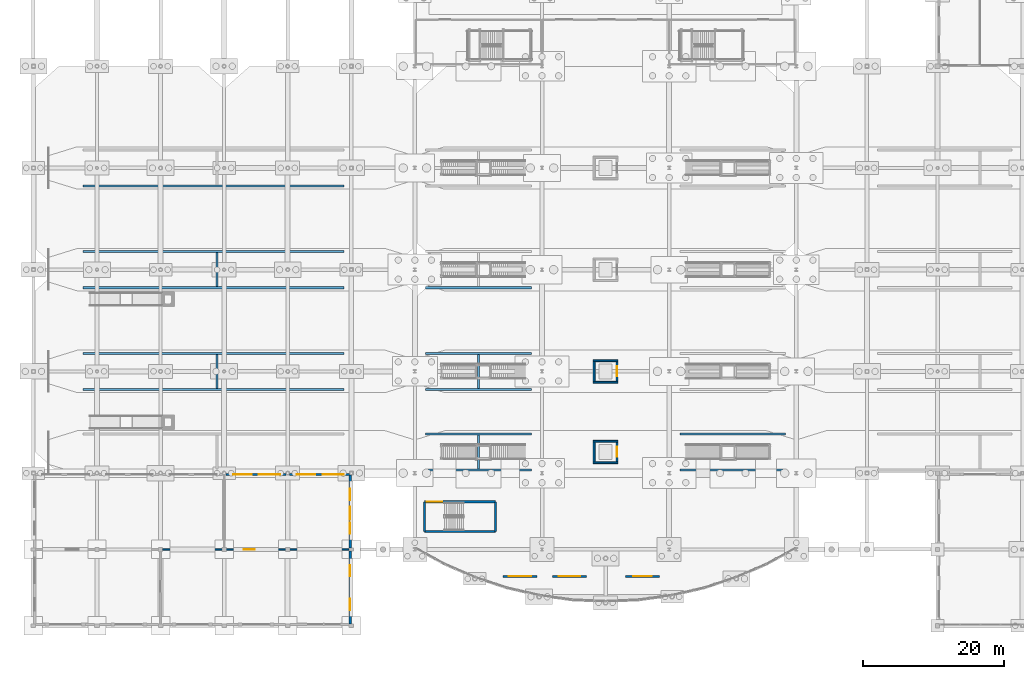
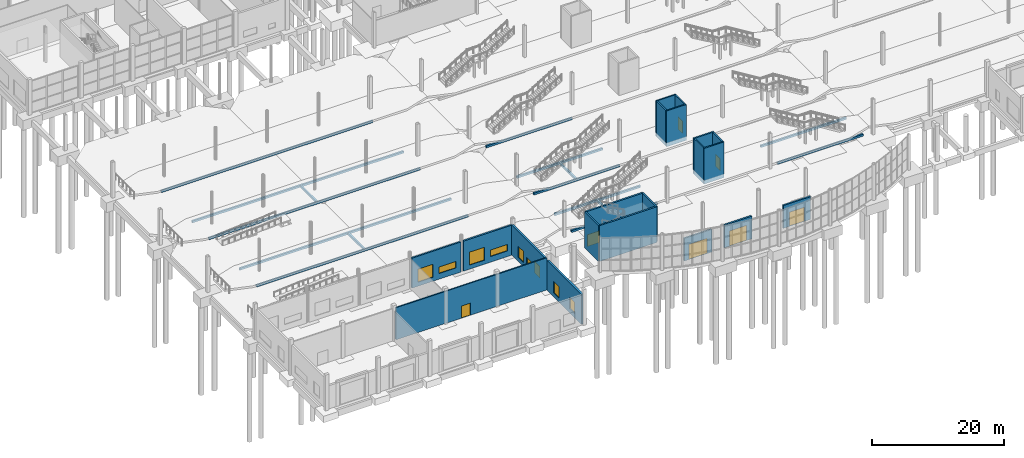
# One storey, part 86 of 115: 36 walls, 8 doors, 8 windows, 16 openings.
"""IFC4 building model written with IfcOpenShell, lengths in metres."""

from ifc_helpers import new_model, si_unit, direction, frame, frame_2d, origin, place, context, subcontext, project, spatial, rectangle, extrude, material, layer, layer_set, type_object, element, fill, save


model = new_model("IFC4")

# Units and contexts
model_context = context("Model", 3, precision=1e-05, world=origin(), true_north=direction((0.0, 1.0)))
body_context = subcontext(model_context, "Body", "Model", "MODEL_VIEW")
ifc_project = project(units=[si_unit("LENGTHUNIT", "METRE"), si_unit("AREAUNIT", "SQUARE_METRE"), si_unit("VOLUMEUNIT", "CUBIC_METRE"), si_unit("PLANEANGLEUNIT", "RADIAN"), si_unit("MASSUNIT", "GRAM", prefix="KILO")], contexts=[model_context])

# Site, building, storey
site_placement = place(None, origin())
site = spatial("IfcSite", under=ifc_project, at=site_placement, CompositionType="ELEMENT")
building_placement = place(site_placement, origin())
building = spatial("IfcBuilding", under=site, at=building_placement, Name="Tamarisk Ironworks Central Station", CompositionType="ELEMENT")
storey_placement = place(building_placement, origin())
storey = spatial("IfcBuildingStorey", under=building, at=storey_placement, Name="L00", CompositionType="ELEMENT", Elevation=0.0)

# Wall, openings, windows
ifc_material_1 = material(Name="Clay facing brickwork and mortar", Category="masonry")
ifc_layer_1 = layer(ifc_material_1, 0.280029296875)
ifc_layer_set_1 = layer_set([ifc_layer_1], Name="Clay facing brickwork and mortar")
wall_type_1 = type_object("IfcWallType", Name="WL-BR280", PredefinedType="STANDARD", material=ifc_layer_set_1)
wall_1_placement = place(storey_placement, frame((27.251953125, 21.429931640625, 0.0), z_axis=(0.0, 0.0, 1.0), x_axis=(1.0, 0.0, 0.0)))
wall_1 = element("IfcWall", 1, at=wall_1_placement, inside=storey, type_object=wall_type_1, Name="L00 brick facade wall 0021", PredefinedType="STANDARD", context=body_context, shape_type="SweptSolid", body=[
    extrude(rectangle(XDim=8.49609375, YDim=0.280029296875, at=frame_2d((4.248046875, 0.0))), origin(), (0.0, 0.0, 1.0), 5.550048828125),
])
opening_1_placement = place(wall_1_placement, frame((1.02392578125, 0.0, 0.75)))
opening_1 = element("IfcOpeningElement", 2, at=opening_1_placement, cuts=wall_1, Name="Opening W05", PredefinedType="OPENING", context=body_context, shape_type="SweptSolid", body=[
    extrude(rectangle(XDim=2.60009765625, YDim=2.39990234375, at=frame_2d((1.300048828125, 1.199951171875))), frame((0.0, 0.15185546875, 0.0), z_axis=(0.0, -1.0, 0.0), x_axis=(1.0, 0.0, 0.0)), (0.0, 0.0, 1.0), 0.303955078125),
])
opening_2_placement = place(wall_1_placement, frame((4.672119140625, 0.0, 1.050048828125)))
opening_2 = element("IfcOpeningElement", 3, at=opening_2_placement, cuts=wall_1, Name="Opening W16", PredefinedType="OPENING", context=body_context, shape_type="SweptSolid", body=[
    extrude(rectangle(XDim=3.0, YDim=1.199951171875, at=frame_2d((1.5, 0.60009765625))), frame((0.0, 0.15185546875, 0.0), z_axis=(0.0, -1.0, 0.0), x_axis=(1.0, 0.0, 0.0)), (0.0, 0.0, 1.0), 0.303955078125),
])
ifc_material_2 = material(Name="Laminated solar-control low-E glass", Category="glass")
window_type_1 = type_object("IfcWindowType", Name="WN-05", PartitioningType="SINGLE_PANEL", PredefinedType="WINDOW", material=ifc_material_2)
window_1_placement = place(opening_1_placement, origin())
window_1 = element("IfcWindow", 4, at=window_1_placement, inside=storey, type_object=window_type_1, Name="L00 exterior window 0016", OverallHeight=2.39990234375, OverallWidth=2.60009765625, PartitioningType="DOUBLE_PANEL_VERTICAL", PredefinedType="WINDOW", context=body_context, shape_type="SweptSolid", body=[
    extrude(rectangle(XDim=2.60009765625, YDim=2.39990234375, at=frame_2d((1.300048828125, 1.199951171875))), frame((0.0, 0.030029296875, 0.0), z_axis=(0.0, -1.0, 0.0), x_axis=(1.0, 0.0, 0.0)), (0.0, 0.0, 1.0), 0.06005859375),
])
fill(opening_1, window_1)
window_type_2 = type_object("IfcWindowType", Name="WN-16", PartitioningType="SINGLE_PANEL", PredefinedType="WINDOW", material=ifc_material_2)
window_2_placement = place(opening_2_placement, origin())
window_2 = element("IfcWindow", 5, at=window_2_placement, inside=storey, type_object=window_type_2, Name="L00 exterior window 0017", OverallHeight=1.199951171875, OverallWidth=3.0, PartitioningType="DOUBLE_PANEL_VERTICAL", PredefinedType="WINDOW", context=body_context, shape_type="SweptSolid", body=[
    extrude(rectangle(XDim=3.0, YDim=1.199951171875, at=frame_2d((1.5, 0.60009765625))), frame((0.0, 0.030029296875, 0.0), z_axis=(0.0, -1.0, 0.0), x_axis=(1.0, 0.0, 0.0)), (0.0, 0.0, 1.0), 0.06005859375),
])
fill(opening_2, window_2)

wall_2_placement = place(storey_placement, frame((36.251953125, 21.429931640625, 0.0), z_axis=(0.0, 0.0, 1.0), x_axis=(1.0, 0.0, 0.0)))
wall_2 = element("IfcWall", 6, at=wall_2_placement, inside=storey, type_object=wall_type_1, Name="L00 brick facade wall 0022", PredefinedType="STANDARD", context=body_context, shape_type="SweptSolid", body=[
    extrude(rectangle(XDim=8.5, YDim=0.280029296875, at=frame_2d((4.25, 0.0))), origin(), (0.0, 0.0, 1.0), 5.550048828125),
])
opening_3_placement = place(wall_2_placement, frame((1.02490234375, 0.0, 0.75)))
opening_3 = element("IfcOpeningElement", 7, at=opening_3_placement, cuts=wall_2, Name="Opening W05", PredefinedType="OPENING", context=body_context, shape_type="SweptSolid", body=[
    extrude(rectangle(XDim=2.60009765625, YDim=2.39990234375, at=frame_2d((1.300048828125, 1.199951171875))), frame((0.0, 0.15185546875, 0.0), z_axis=(0.0, -1.0, 0.0), x_axis=(1.0, 0.0, 0.0)), (0.0, 0.0, 1.0), 0.303955078125),
])
opening_4_placement = place(wall_2_placement, frame((4.675048828125, 0.0, 1.050048828125)))
opening_4 = element("IfcOpeningElement", 8, at=opening_4_placement, cuts=wall_2, Name="Opening W16", PredefinedType="OPENING", context=body_context, shape_type="SweptSolid", body=[
    extrude(rectangle(XDim=3.0, YDim=1.199951171875, at=frame_2d((1.5, 0.60009765625))), frame((0.0, 0.15185546875, 0.0), z_axis=(0.0, -1.0, 0.0), x_axis=(1.0, 0.0, 0.0)), (0.0, 0.0, 1.0), 0.303955078125),
])
window_3_placement = place(opening_3_placement, origin())
window_3 = element("IfcWindow", 9, at=window_3_placement, inside=storey, type_object=window_type_1, Name="L00 exterior window 0018", OverallHeight=2.39990234375, OverallWidth=2.60009765625, PartitioningType="DOUBLE_PANEL_VERTICAL", PredefinedType="WINDOW", context=body_context, shape_type="SweptSolid", body=[
    extrude(rectangle(XDim=2.60009765625, YDim=2.39990234375, at=frame_2d((1.300048828125, 1.199951171875))), frame((0.0, 0.030029296875, 0.0), z_axis=(0.0, -1.0, 0.0), x_axis=(1.0, 0.0, 0.0)), (0.0, 0.0, 1.0), 0.06005859375),
])
fill(opening_3, window_3)
window_4_placement = place(opening_4_placement, origin())
window_4 = element("IfcWindow", 10, at=window_4_placement, inside=storey, type_object=window_type_2, Name="L00 exterior window 0019", OverallHeight=1.199951171875, OverallWidth=3.0, PartitioningType="DOUBLE_PANEL_VERTICAL", PredefinedType="WINDOW", context=body_context, shape_type="SweptSolid", body=[
    extrude(rectangle(XDim=3.0, YDim=1.199951171875, at=frame_2d((1.5, 0.60009765625))), frame((0.0, 0.030029296875, 0.0), z_axis=(0.0, -1.0, 0.0), x_axis=(1.0, 0.0, 0.0)), (0.0, 0.0, 1.0), 0.06005859375),
])
fill(opening_4, window_4)

# Wall, opening, door
wall_3_placement = place(storey_placement, frame((66.5, 7.0, 0.0), z_axis=(0.0, 0.0, 1.0), x_axis=(1.0, 0.0, 0.0)))
wall_3 = element("IfcWall", 11, at=wall_3_placement, inside=storey, type_object=wall_type_1, Name="Ticket hall S entrance vestibule screen 1", PredefinedType="STANDARD", context=body_context, shape_type="SweptSolid", body=[
    extrude(rectangle(XDim=4.800048828125, YDim=0.280029296875, at=frame_2d((2.39990234375, 0.0))), origin(), (0.0, 0.0, 1.0), 4.199951171875),
])
opening_5_placement = place(wall_3_placement, frame((0.800048828125, 0.0, 0.0048828125)))
opening_5 = element("IfcOpeningElement", 12, at=opening_5_placement, cuts=wall_3, Name="Opening ED01", PredefinedType="OPENING", context=body_context, shape_type="SweptSolid", body=[
    extrude(rectangle(XDim=3.199951171875, YDim=2.800048828125, at=frame_2d((1.60009765625, 1.39990234375))), frame((0.0, 0.15185546875, 0.0), z_axis=(0.0, -1.0, 0.0), x_axis=(1.0, 0.0, 0.0)), (0.0, 0.0, 1.0), 0.303955078125),
])
ifc_material_3 = material(Name="Anodized aluminium alloy 6063-T6", Category="aluminium")
door_type_1 = type_object("IfcDoorType", Name="DR-ED01", OperationType="NOTDEFINED", PredefinedType="DOOR", material=ifc_material_3)
door_1_placement = place(opening_5_placement, origin())
door_1 = element("IfcDoor", 13, at=door_1_placement, inside=storey, type_object=door_type_1, Name="Ticket hall S main street entrance 1", OperationType="DOUBLE_DOOR_SINGLE_SWING", OverallHeight=2.800048828125, OverallWidth=3.199951171875, PredefinedType="DOOR", context=body_context, shape_type="SweptSolid", body=[
    extrude(rectangle(XDim=3.199951171875, YDim=2.800048828125, at=frame_2d((1.60009765625, 1.39990234375))), frame((0.0, 0.02490234375, 0.0), z_axis=(0.0, -1.0, 0.0), x_axis=(1.0, 0.0, 0.0)), (0.0, 0.0, 1.0), 0.050048828125),
])
fill(opening_5, door_1)

wall_4_placement = place(storey_placement, frame((73.5, 7.0, 0.0), z_axis=(0.0, 0.0, 1.0), x_axis=(1.0, 0.0, 0.0)))
wall_4 = element("IfcWall", 14, at=wall_4_placement, inside=storey, type_object=wall_type_1, Name="Ticket hall S entrance vestibule screen 2", PredefinedType="STANDARD", context=body_context, shape_type="SweptSolid", body=[
    extrude(rectangle(XDim=4.800048828125, YDim=0.280029296875, at=frame_2d((2.39990234375, 0.0))), origin(), (0.0, 0.0, 1.0), 4.199951171875),
])
opening_6_placement = place(wall_4_placement, frame((0.89990234375, 0.0, 0.0048828125)))
opening_6 = element("IfcOpeningElement", 15, at=opening_6_placement, cuts=wall_4, Name="Opening ED02", PredefinedType="OPENING", context=body_context, shape_type="SweptSolid", body=[
    extrude(rectangle(XDim=3.0, YDim=2.800048828125, at=frame_2d((1.5, 1.39990234375))), frame((0.0, 0.15185546875, 0.0), z_axis=(0.0, -1.0, 0.0), x_axis=(1.0, 0.0, 0.0)), (0.0, 0.0, 1.0), 0.303955078125),
])
door_type_2 = type_object("IfcDoorType", Name="DR-ED02", OperationType="NOTDEFINED", PredefinedType="DOOR", material=ifc_material_3)
door_2_placement = place(opening_6_placement, origin())
door_2 = element("IfcDoor", 16, at=door_2_placement, inside=storey, type_object=door_type_2, Name="Ticket hall S main street entrance 2", OperationType="DOUBLE_DOOR_SINGLE_SWING", OverallHeight=2.800048828125, OverallWidth=3.0, PredefinedType="DOOR", context=body_context, shape_type="SweptSolid", body=[
    extrude(rectangle(XDim=3.0, YDim=2.800048828125, at=frame_2d((1.5, 1.39990234375))), frame((0.0, 0.02490234375, 0.0), z_axis=(0.0, -1.0, 0.0), x_axis=(1.0, 0.0, 0.0)), (0.0, 0.0, 1.0), 0.050048828125),
])
fill(opening_6, door_2)

wall_5_placement = place(storey_placement, frame((83.800048828125, 7.0, 0.0), z_axis=(0.0, 0.0, 1.0), x_axis=(1.0, 0.0, 0.0)))
wall_5 = element("IfcWall", 17, at=wall_5_placement, inside=storey, type_object=wall_type_1, Name="Ticket hall S entrance vestibule screen 3", PredefinedType="STANDARD", context=body_context, shape_type="SweptSolid", body=[
    extrude(rectangle(XDim=4.800048828125, YDim=0.280029296875, at=frame_2d((2.39990234375, 0.0))), origin(), (0.0, 0.0, 1.0), 4.199951171875),
])
opening_7_placement = place(wall_5_placement, frame((1.10009765625, 0.0, 0.0048828125)))
opening_7 = element("IfcOpeningElement", 18, at=opening_7_placement, cuts=wall_5, Name="Opening ED04", PredefinedType="OPENING", context=body_context, shape_type="SweptSolid", body=[
    extrude(rectangle(XDim=2.60009765625, YDim=2.60009765625, at=frame_2d((1.300048828125, 1.300048828125))), frame((0.0, 0.15185546875, 0.0), z_axis=(0.0, -1.0, 0.0), x_axis=(1.0, 0.0, 0.0)), (0.0, 0.0, 1.0), 0.303955078125),
])
door_type_3 = type_object("IfcDoorType", Name="DR-ED04", OperationType="NOTDEFINED", PredefinedType="DOOR", material=ifc_material_3)
door_3_placement = place(opening_7_placement, origin())
door_3 = element("IfcDoor", 19, at=door_3_placement, inside=storey, type_object=door_type_3, Name="Ticket hall S main street entrance 3", OperationType="DOUBLE_DOOR_SINGLE_SWING", OverallHeight=2.60009765625, OverallWidth=2.60009765625, PredefinedType="DOOR", context=body_context, shape_type="SweptSolid", body=[
    extrude(rectangle(XDim=2.60009765625, YDim=2.60009765625, at=frame_2d((1.300048828125, 1.300048828125))), frame((0.0, 0.02490234375, 0.0), z_axis=(0.0, -1.0, 0.0), x_axis=(1.0, 0.0, 0.0)), (0.0, 0.0, 1.0), 0.050048828125),
])
fill(opening_7, door_3)

# Wall, openings, windows
ifc_layer_2 = layer(ifc_material_1, 0.340087890625)
ifc_layer_set_2 = layer_set([ifc_layer_2], Name="Clay facing brickwork and mortar")
wall_type_2 = type_object("IfcWallType", Name="WL-BR340", PredefinedType="STANDARD", material=ifc_layer_set_2)
wall_6_placement = place(storey_placement, frame((44.830078125, 0.222900390625, 0.0), z_axis=(0.0, 0.0, 1.0), x_axis=(0.0, 1.0, 0.0)))
wall_6 = element("IfcWall", 20, at=wall_6_placement, inside=storey, type_object=wall_type_2, Name="L00 brick facade wall 0015", PredefinedType="STANDARD", context=body_context, shape_type="SweptSolid", body=[
    extrude(rectangle(XDim=10.35400390625, YDim=0.340087890625, at=frame_2d((5.177001953125, 0.0))), origin(), (0.0, 0.0, 1.0), 5.550048828125),
])
opening_8_placement = place(wall_6_placement, frame((1.988037109375, 0.0, 0.75)))
opening_8 = element("IfcOpeningElement", 21, at=opening_8_placement, cuts=wall_6, Name="Opening W10", PredefinedType="OPENING", context=body_context, shape_type="SweptSolid", body=[
    extrude(rectangle(XDim=1.60009765625, YDim=2.10009765625, at=frame_2d((0.800048828125, 1.050048828125))), frame((0.0, 0.18212890625, 0.0), z_axis=(0.0, -1.0, 0.0), x_axis=(1.0, 0.0, 0.0)), (0.0, 0.0, 1.0), 0.364013671875),
])
opening_9_placement = place(wall_6_placement, frame((6.764892578125, 0.0, 0.75)))
opening_9 = element("IfcOpeningElement", 22, at=opening_9_placement, cuts=wall_6, Name="Opening W10", PredefinedType="OPENING", context=body_context, shape_type="SweptSolid", body=[
    extrude(rectangle(XDim=1.60009765625, YDim=2.10009765625, at=frame_2d((0.800048828125, 1.050048828125))), frame((0.0, 0.18212890625, 0.0), z_axis=(0.0, -1.0, 0.0), x_axis=(1.0, 0.0, 0.0)), (0.0, 0.0, 1.0), 0.364013671875),
])
window_type_3 = type_object("IfcWindowType", Name="WN-10", PartitioningType="SINGLE_PANEL", PredefinedType="WINDOW", material=ifc_material_2)
window_5_placement = place(opening_8_placement, origin())
window_5 = element("IfcWindow", 23, at=window_5_placement, inside=storey, type_object=window_type_3, Name="L00 exterior window 0004", OverallHeight=2.10009765625, OverallWidth=1.60009765625, PartitioningType="DOUBLE_PANEL_VERTICAL", PredefinedType="WINDOW", context=body_context, shape_type="SweptSolid", body=[
    extrude(rectangle(XDim=1.60009765625, YDim=2.10009765625, at=frame_2d((0.800048828125, 1.050048828125))), frame((0.0, 0.030029296875, 0.0), z_axis=(0.0, -1.0, 0.0), x_axis=(1.0, 0.0, 0.0)), (0.0, 0.0, 1.0), 0.06005859375),
])
fill(opening_8, window_5)
window_6_placement = place(opening_9_placement, origin())
window_6 = element("IfcWindow", 24, at=window_6_placement, inside=storey, type_object=window_type_3, Name="L00 exterior window 0005", OverallHeight=2.10009765625, OverallWidth=1.60009765625, PartitioningType="DOUBLE_PANEL_VERTICAL", PredefinedType="WINDOW", context=body_context, shape_type="SweptSolid", body=[
    extrude(rectangle(XDim=1.60009765625, YDim=2.10009765625, at=frame_2d((0.800048828125, 1.050048828125))), frame((0.0, 0.030029296875, 0.0), z_axis=(0.0, -1.0, 0.0), x_axis=(1.0, 0.0, 0.0)), (0.0, 0.0, 1.0), 0.06005859375),
])
fill(opening_9, window_6)

# Wall, openings, door, windows
wall_7_placement = place(storey_placement, frame((44.830078125, 11.02294921875, 0.0), z_axis=(0.0, 0.0, 1.0), x_axis=(0.0, 1.0, 0.0)))
wall_7 = element("IfcWall", 25, at=wall_7_placement, inside=storey, type_object=wall_type_2, Name="L00 brick facade wall 0017", PredefinedType="STANDARD", context=body_context, shape_type="SweptSolid", body=[
    extrude(rectangle(XDim=10.3291015625, YDim=0.340087890625, at=frame_2d((5.16455078125, 0.0))), origin(), (0.0, 0.0, 1.0), 5.550048828125),
])
opening_10_placement = place(wall_7_placement, frame((4.0, 0.0, 0.0048828125)))
opening_10 = element("IfcOpeningElement", 26, at=opening_10_placement, cuts=wall_7, Name="Opening ED08", PredefinedType="OPENING", context=body_context, shape_type="SweptSolid", body=[
    extrude(rectangle(XDim=1.800048828125, YDim=2.35009765625, at=frame_2d((0.89990234375, 1.175048828125))), frame((0.0, 0.18212890625, 0.0), z_axis=(0.0, -1.0, 0.0), x_axis=(1.0, 0.0, 0.0)), (0.0, 0.0, 1.0), 0.364013671875),
])
opening_11_placement = place(wall_7_placement, frame((1.98193359375, 0.0, 0.75)))
opening_11 = element("IfcOpeningElement", 27, at=opening_11_placement, cuts=wall_7, Name="Opening W10", PredefinedType="OPENING", context=body_context, shape_type="SweptSolid", body=[
    extrude(rectangle(XDim=1.60009765625, YDim=2.10009765625, at=frame_2d((0.800048828125, 1.050048828125))), frame((0.0, 0.18212890625, 0.0), z_axis=(0.0, -1.0, 0.0), x_axis=(1.0, 0.0, 0.0)), (0.0, 0.0, 1.0), 0.364013671875),
])
opening_12_placement = place(wall_7_placement, frame((6.7470703125, 0.0, 0.75)))
opening_12 = element("IfcOpeningElement", 28, at=opening_12_placement, cuts=wall_7, Name="Opening W10", PredefinedType="OPENING", context=body_context, shape_type="SweptSolid", body=[
    extrude(rectangle(XDim=1.60009765625, YDim=2.10009765625, at=frame_2d((0.800048828125, 1.050048828125))), frame((0.0, 0.18212890625, 0.0), z_axis=(0.0, -1.0, 0.0), x_axis=(1.0, 0.0, 0.0)), (0.0, 0.0, 1.0), 0.364013671875),
])
ifc_material_4 = material(Name="Galvanised hollow-metal door steel", Category="steel")
door_type_4 = type_object("IfcDoorType", Name="DR-ED08", OperationType="NOTDEFINED", PredefinedType="DOOR", material=ifc_material_4)
door_4_placement = place(opening_10_placement, origin())
door_4 = element("IfcDoor", 29, at=door_4_placement, inside=storey, type_object=door_type_4, Name="L00 exterior entrance door 0006", OperationType="SINGLE_SWING_LEFT", OverallHeight=2.35009765625, OverallWidth=1.800048828125, PredefinedType="DOOR", context=body_context, shape_type="SweptSolid", body=[
    extrude(rectangle(XDim=1.800048828125, YDim=2.35009765625, at=frame_2d((0.89990234375, 1.175048828125))), frame((0.0, 0.02490234375, 0.0), z_axis=(0.0, -1.0, 0.0), x_axis=(1.0, 0.0, 0.0)), (0.0, 0.0, 1.0), 0.050048828125),
])
fill(opening_10, door_4)
window_7_placement = place(opening_11_placement, origin())
window_7 = element("IfcWindow", 30, at=window_7_placement, inside=storey, type_object=window_type_3, Name="L00 exterior window 0008", OverallHeight=2.10009765625, OverallWidth=1.60009765625, PartitioningType="DOUBLE_PANEL_VERTICAL", PredefinedType="WINDOW", context=body_context, shape_type="SweptSolid", body=[
    extrude(rectangle(XDim=1.60009765625, YDim=2.10009765625, at=frame_2d((0.800048828125, 1.050048828125))), frame((0.0, 0.030029296875, 0.0), z_axis=(0.0, -1.0, 0.0), x_axis=(1.0, 0.0, 0.0)), (0.0, 0.0, 1.0), 0.06005859375),
])
fill(opening_11, window_7)
window_8_placement = place(opening_12_placement, origin())
window_8 = element("IfcWindow", 31, at=window_8_placement, inside=storey, type_object=window_type_3, Name="L00 exterior window 0009", OverallHeight=2.10009765625, OverallWidth=1.60009765625, PartitioningType="DOUBLE_PANEL_VERTICAL", PredefinedType="WINDOW", context=body_context, shape_type="SweptSolid", body=[
    extrude(rectangle(XDim=1.60009765625, YDim=2.10009765625, at=frame_2d((0.800048828125, 1.050048828125))), frame((0.0, 0.030029296875, 0.0), z_axis=(0.0, -1.0, 0.0), x_axis=(1.0, 0.0, 0.0)), (0.0, 0.0, 1.0), 0.06005859375),
])
fill(opening_12, window_8)

# Walls
ifc_material_5 = material(Name="Concrete C50/60", Category="concrete")
ifc_layer_3 = layer(ifc_material_5, 0.300048828125)
ifc_layer_set_3 = layer_set([ifc_layer_3], Name="Concrete C50/60")
wall_type_3 = type_object("IfcWallType", Name="WL-CW300", PredefinedType="SOLIDWALL", material=ifc_layer_set_3)
for number, where, z_axis, x_axis, name in (
    (32, (55.5, 22.050048828125, 0.0), (0.0, 0.0, 1.0), (1.0, 0.0, 0.0), "Platform P1 M structural plinth wall 004"),
    (33, (55.5, 27.14990234375, 0.0), (0.0, 0.0, 1.0), (1.0, 0.0, 0.0), "Platform P1 M structural plinth wall 005"),
    (34, (91.5, 22.050048828125, 0.0), (0.0, 0.0, 1.0), (1.0, 0.0, 0.0), "Platform P1 M structural plinth wall 006"),
    (35, (91.5, 27.14990234375, 0.0), (0.0, 0.0, 1.0), (1.0, 0.0, 0.0), "Platform P1 M structural plinth wall 007"),
):
    element("IfcWall", number, at=place(storey_placement, frame(where, z_axis=z_axis, x_axis=x_axis)), inside=storey, type_object=wall_type_3, Name=name, PredefinedType="SOLIDWALL", context=body_context, shape_type="SweptSolid", body=[
        extrude(rectangle(XDim=15.0, YDim=0.300048828125, at=frame_2d((7.5, 0.0))), origin(), (0.0, 0.0, 1.0), 0.375),
    ])
wall_8_placement = place(storey_placement, frame((63.0, 22.199951171875, 0.0), z_axis=(0.0, 0.0, 1.0), x_axis=(0.0, 1.0, 0.0)))
element("IfcWall", 36, at=wall_8_placement, inside=storey, type_object=wall_type_3, Name="Platform P1 M transverse diaphragm wall 008", PredefinedType="SOLIDWALL", context=body_context, shape_type="SweptSolid", body=[
    extrude(rectangle(XDim=4.800048828125, YDim=0.300048828125, at=frame_2d((2.39990234375, 0.0))), origin(), (0.0, 0.0, 1.0), 0.375),
])
for number, where, z_axis, x_axis, name in (
    (37, (7.0, 33.449951171875, 0.0), (0.0, 0.0, 1.0), (1.0, 0.0, 0.0), "Platform P2 W structural plinth wall 014"),
    (38, (7.0, 38.550048828125, 0.0), (0.0, 0.0, 1.0), (1.0, 0.0, 0.0), "Platform P2 W structural plinth wall 015"),
):
    element("IfcWall", number, at=place(storey_placement, frame(where, z_axis=z_axis, x_axis=x_axis)), inside=storey, type_object=wall_type_3, Name=name, PredefinedType="SOLIDWALL", context=body_context, shape_type="SweptSolid", body=[
        extrude(rectangle(XDim=37.0, YDim=0.300048828125, at=frame_2d((18.5, 0.0))), origin(), (0.0, 0.0, 1.0), 0.375),
    ])
wall_9_placement = place(storey_placement, frame((26.0, 33.60009765625, 0.0), z_axis=(0.0, 0.0, 1.0), x_axis=(0.0, 1.0, 0.0)))
element("IfcWall", 39, at=wall_9_placement, inside=storey, type_object=wall_type_3, Name="Platform P2 W transverse diaphragm wall 016", PredefinedType="SOLIDWALL", context=body_context, shape_type="SweptSolid", body=[
    extrude(rectangle(XDim=4.7998046875, YDim=0.300048828125, at=frame_2d((2.39990234375, 0.0))), origin(), (0.0, 0.0, 1.0), 0.375),
])
for number, where, z_axis, x_axis, name in (
    (40, (55.5, 33.449951171875, 0.0), (0.0, 0.0, 1.0), (1.0, 0.0, 0.0), "Platform P2 M structural plinth wall 017"),
    (41, (55.5, 38.550048828125, 0.0), (0.0, 0.0, 1.0), (1.0, 0.0, 0.0), "Platform P2 M structural plinth wall 018"),
):
    element("IfcWall", number, at=place(storey_placement, frame(where, z_axis=z_axis, x_axis=x_axis)), inside=storey, type_object=wall_type_3, Name=name, PredefinedType="SOLIDWALL", context=body_context, shape_type="SweptSolid", body=[
        extrude(rectangle(XDim=15.0, YDim=0.300048828125, at=frame_2d((7.5, 0.0))), origin(), (0.0, 0.0, 1.0), 0.375),
    ])
wall_10_placement = place(storey_placement, frame((63.0, 33.60009765625, 0.0), z_axis=(0.0, 0.0, 1.0), x_axis=(0.0, 1.0, 0.0)))
element("IfcWall", 42, at=wall_10_placement, inside=storey, type_object=wall_type_3, Name="Platform P2 M transverse diaphragm wall 021", PredefinedType="SOLIDWALL", context=body_context, shape_type="SweptSolid", body=[
    extrude(rectangle(XDim=4.7998046875, YDim=0.300048828125, at=frame_2d((2.39990234375, 0.0))), origin(), (0.0, 0.0, 1.0), 0.375),
])
for number, where, z_axis, x_axis, name in (
    (43, (7.0, 47.85009765625, 0.0), (0.0, 0.0, 1.0), (1.0, 0.0, 0.0), "Platform P3 W structural plinth wall 027"),
    (44, (7.0, 52.949951171875, 0.0), (0.0, 0.0, 1.0), (1.0, 0.0, 0.0), "Platform P3 W structural plinth wall 028"),
):
    element("IfcWall", number, at=place(storey_placement, frame(where, z_axis=z_axis, x_axis=x_axis)), inside=storey, type_object=wall_type_3, Name=name, PredefinedType="SOLIDWALL", context=body_context, shape_type="SweptSolid", body=[
        extrude(rectangle(XDim=37.0, YDim=0.300048828125, at=frame_2d((18.5, 0.0))), origin(), (0.0, 0.0, 1.0), 0.375),
    ])
wall_11_placement = place(storey_placement, frame((26.0, 48.0, 0.0), z_axis=(0.0, 0.0, 1.0), x_axis=(0.0, 1.0, 0.0)))
element("IfcWall", 45, at=wall_11_placement, inside=storey, type_object=wall_type_3, Name="Platform P3 W transverse diaphragm wall 029", PredefinedType="SOLIDWALL", context=body_context, shape_type="SweptSolid", body=[
    extrude(rectangle(XDim=4.800048828125, YDim=0.300048828125, at=frame_2d((2.39990234375, 0.0))), origin(), (0.0, 0.0, 1.0), 0.375),
])
wall_12_placement = place(storey_placement, frame((55.5, 47.85009765625, 0.0), z_axis=(0.0, 0.0, 1.0), x_axis=(1.0, 0.0, 0.0)))
element("IfcWall", 46, at=wall_12_placement, inside=storey, type_object=wall_type_3, Name="Platform P3 M structural plinth wall 030", PredefinedType="SOLIDWALL", context=body_context, shape_type="SweptSolid", body=[
    extrude(rectangle(XDim=15.0, YDim=0.300048828125, at=frame_2d((7.5, 0.0))), origin(), (0.0, 0.0, 1.0), 0.375),
])
wall_13_placement = place(storey_placement, frame((7.0, 62.25, 0.0), z_axis=(0.0, 0.0, 1.0), x_axis=(1.0, 0.0, 0.0)))
element("IfcWall", 47, at=wall_13_placement, inside=storey, type_object=wall_type_3, Name="Platform P4 W structural plinth wall 040", PredefinedType="SOLIDWALL", context=body_context, shape_type="SweptSolid", body=[
    extrude(rectangle(XDim=37.0, YDim=0.300048828125, at=frame_2d((18.5, 0.0))), origin(), (0.0, 0.0, 1.0), 0.375),
])
wall_14_placement = place(storey_placement, frame((55.35498046875, 13.35498046875, 0.0), z_axis=(0.0, 0.0, 1.0), x_axis=(1.0, 0.0, 0.0)))
element("IfcWall", 48, at=wall_14_placement, inside=storey, type_object=wall_type_3, Name="ST-C8 core wall L (L00)", PredefinedType="SOLIDWALL", context=body_context, shape_type="SweptSolid", body=[
    extrude(rectangle(XDim=10.0400390625, YDim=0.300048828125, at=frame_2d((5.02001953125, 0.0))), origin(), (0.0, 0.0, 1.0), 6.60009765625),
])

# Wall, opening, door
wall_15_placement = place(storey_placement, frame((55.35498046875, 17.544921875, 0.0), z_axis=(0.0, 0.0, 1.0), x_axis=(1.0, 0.0, 0.0)))
wall_15 = element("IfcWall", 49, at=wall_15_placement, inside=storey, type_object=wall_type_3, Name="ST-C8 core wall R (L00)", PredefinedType="SOLIDWALL", context=body_context, shape_type="SweptSolid", body=[
    extrude(rectangle(XDim=10.0400390625, YDim=0.300048828125, at=frame_2d((5.02001953125, 0.0))), origin(), (0.0, 0.0, 1.0), 6.60009765625),
])
opening_13_placement = place(wall_15_placement, frame((0.35009765625, 0.0, 0.0048828125)))
opening_13 = element("IfcOpeningElement", 50, at=opening_13_placement, cuts=wall_15, Name="Opening FD01", PredefinedType="OPENING", context=body_context, shape_type="SweptSolid", body=[
    extrude(rectangle(XDim=2.14990234375, YDim=2.199951171875, at=frame_2d((1.074951171875, 1.10009765625))), frame((0.0, 0.162109375, 0.0), z_axis=(0.0, -1.0, 0.0), x_axis=(1.0, 0.0, 0.0)), (0.0, 0.0, 1.0), 0.323974609375),
])
door_type_5 = type_object("IfcDoorType", Name="DR-FD01", OperationType="NOTDEFINED", PredefinedType="DOOR", material=ifc_material_4)
door_5_placement = place(opening_13_placement, origin())
door_5 = element("IfcDoor", 51, at=door_5_placement, inside=storey, type_object=door_type_5, Name="ST-C8 fire stair door (L00)", OperationType="SINGLE_SWING_LEFT", OverallHeight=2.199951171875, OverallWidth=2.14990234375, PredefinedType="DOOR", context=body_context, shape_type="SweptSolid", body=[
    extrude(rectangle(XDim=2.14990234375, YDim=2.199951171875, at=frame_2d((1.074951171875, 1.10009765625))), frame((0.0, 0.02490234375, 0.0), z_axis=(0.0, -1.0, 0.0), x_axis=(1.0, 0.0, 0.0)), (0.0, 0.0, 1.0), 0.050048828125),
])
fill(opening_13, door_5)

# Walls
for number, where, z_axis, x_axis, name in (
    (52, (55.35498046875, 13.35498046875, 0.0), (0.0, 0.0, 1.0), (0.0, 1.0, 0.0), "ST-C8 core wall N (L00)"),
    (53, (65.39501953125, 13.35498046875, 0.0), (0.0, 0.0, 1.0), (0.0, 1.0, 0.0), "ST-C8 core wall F (L00)"),
):
    element("IfcWall", number, at=place(storey_placement, frame(where, z_axis=z_axis, x_axis=x_axis)), inside=storey, type_object=wall_type_3, Name=name, PredefinedType="SOLIDWALL", context=body_context, shape_type="SweptSolid", body=[
        extrude(rectangle(XDim=4.18994140625, YDim=0.300048828125, at=frame_2d((2.094970703125, 0.0))), origin(), (0.0, 0.0, 1.0), 6.60009765625),
    ])

# Wall, opening, door
ifc_material_6 = material(Name="Concrete C40/50", Category="concrete")
ifc_layer_4 = layer(ifc_material_6, 0.2099609375)
ifc_layer_set_4 = layer_set([ifc_layer_4], Name="Concrete C40/50")
wall_type_4 = type_object("IfcWallType", Name="WL-PL200", PredefinedType="PARTITIONING", material=ifc_layer_set_4)
wall_16_placement = place(storey_placement, frame((18.298095703125, 10.800048828125, 0.0), z_axis=(0.0, 0.0, 1.0), x_axis=(1.0, 0.0, 0.0)))
wall_16 = element("IfcWall", 54, at=wall_16_placement, inside=storey, type_object=wall_type_4, Name="L00 interior partition 0013", PredefinedType="PARTITIONING", context=body_context, shape_type="SweptSolid", body=[
    extrude(rectangle(XDim=26.37890625, YDim=0.2099609375, at=frame_2d((13.189453125, 0.0))), origin(), (0.0, 0.0, 1.0), 5.929931640625),
])
opening_14_placement = place(wall_16_placement, frame((11.501953125, 0.0, 0.0048828125)))
opening_14 = element("IfcOpeningElement", 55, at=opening_14_placement, cuts=wall_16, Name="Opening PD02", PredefinedType="OPENING", context=body_context, shape_type="SweptSolid", body=[
    extrude(rectangle(XDim=1.5, YDim=2.25, at=frame_2d((0.75, 1.125))), frame((0.0, 0.116943359375, 0.0), z_axis=(0.0, -1.0, 0.0), x_axis=(1.0, 0.0, 0.0)), (0.0, 0.0, 1.0), 0.23388671875),
])
door_type_6 = type_object("IfcDoorType", Name="DR-PL02", OperationType="NOTDEFINED", PredefinedType="DOOR", material=ifc_material_4)
door_6_placement = place(opening_14_placement, origin())
door_6 = element("IfcDoor", 56, at=door_6_placement, inside=storey, type_object=door_type_6, Name="L00 room door 0010", OperationType="SINGLE_SWING_LEFT", OverallHeight=2.25, OverallWidth=1.5, PredefinedType="DOOR", context=body_context, shape_type="SweptSolid", body=[
    extrude(rectangle(XDim=1.5, YDim=2.25, at=frame_2d((0.75, 1.125))), frame((0.0, 0.02490234375, 0.0), z_axis=(0.0, -1.0, 0.0), x_axis=(1.0, 0.0, 0.0)), (0.0, 0.0, 1.0), 0.050048828125),
])
fill(opening_14, door_6)

# Walls
ifc_layer_5 = layer(ifc_material_5, 0.25)
ifc_layer_set_5 = layer_set([ifc_layer_5], Name="Concrete C50/60")
wall_type_5 = type_object("IfcWallType", Name="WL-SH250", PredefinedType="SOLIDWALL", material=ifc_layer_set_5)
for number, where, z_axis, x_axis, name in (
    (57, (79.25, 23.074951171875, 0.0), (0.0, 0.0, 1.0), (1.0, 0.0, 0.0), "LF-P1 lift shaft wall S (L00)"),
    (58, (79.25, 26.125, 0.0), (0.0, 0.0, 1.0), (1.0, 0.0, 0.0), "LF-P1 lift shaft wall N (L00)"),
):
    element("IfcWall", number, at=place(storey_placement, frame(where, z_axis=z_axis, x_axis=x_axis)), inside=storey, type_object=wall_type_5, Name=name, PredefinedType="SOLIDWALL", context=body_context, shape_type="SweptSolid", body=[
        extrude(rectangle(XDim=3.5, YDim=0.25, at=frame_2d((1.75, 0.0))), origin(), (0.0, 0.0, 1.0), 6.60009765625),
    ])
wall_17_placement = place(storey_placement, frame((79.375, 23.199951171875, 0.0), z_axis=(0.0, 0.0, 1.0), x_axis=(0.0, 1.0, 0.0)))
element("IfcWall", 59, at=wall_17_placement, inside=storey, type_object=wall_type_5, Name="LF-P1 lift shaft wall W (L00)", PredefinedType="SOLIDWALL", context=body_context, shape_type="SweptSolid", body=[
    extrude(rectangle(XDim=2.800048828125, YDim=0.25, at=frame_2d((1.39990234375, 0.0))), origin(), (0.0, 0.0, 1.0), 6.60009765625),
])

# Wall, opening, door
wall_18_placement = place(storey_placement, frame((82.625, 23.199951171875, 0.0), z_axis=(0.0, 0.0, 1.0), x_axis=(0.0, 1.0, 0.0)))
wall_18 = element("IfcWall", 60, at=wall_18_placement, inside=storey, type_object=wall_type_5, Name="LF-P1 lift shaft wall E (L00)", PredefinedType="SOLIDWALL", context=body_context, shape_type="SweptSolid", body=[
    extrude(rectangle(XDim=2.800048828125, YDim=0.25, at=frame_2d((1.39990234375, 0.0))), origin(), (0.0, 0.0, 1.0), 6.60009765625),
])
opening_15_placement = place(wall_18_placement, frame((0.699951171875, 0.0, 0.72509765625)))
opening_15 = element("IfcOpeningElement", 61, at=opening_15_placement, cuts=wall_18, Name="Opening LD01", PredefinedType="OPENING", context=body_context, shape_type="SweptSolid", body=[
    extrude(rectangle(XDim=1.39990234375, YDim=2.25, at=frame_2d((0.699951171875, 1.125))), frame((0.0, 0.136962890625, 0.0), z_axis=(0.0, -1.0, 0.0), x_axis=(1.0, 0.0, 0.0)), (0.0, 0.0, 1.0), 0.27392578125),
])
ifc_material_7 = material(Name="Brushed stainless steel AISI 316", Category="steel")
door_type_7 = type_object("IfcDoorType", Name="DR-LD01", OperationType="NOTDEFINED", PredefinedType="DOOR", material=ifc_material_7)
door_7_placement = place(opening_15_placement, origin())
door_7 = element("IfcDoor", 62, at=door_7_placement, inside=storey, type_object=door_type_7, Name="LF-P1 sliding lift landing door (L00)", OperationType="SLIDING_TO_LEFT", OverallHeight=2.25, OverallWidth=1.39990234375, PredefinedType="DOOR", context=body_context, shape_type="SweptSolid", body=[
    extrude(rectangle(XDim=1.39990234375, YDim=2.25, at=frame_2d((0.699951171875, 1.125))), frame((0.0, 0.02490234375, 0.0), z_axis=(0.0, -1.0, 0.0), x_axis=(1.0, 0.0, 0.0)), (0.0, 0.0, 1.0), 0.050048828125),
])
fill(opening_15, door_7)

# Walls
for number, where, z_axis, x_axis, name in (
    (63, (79.25, 34.47509765625, 0.0), (0.0, 0.0, 1.0), (1.0, 0.0, 0.0), "LF-P2 lift shaft wall S (L00)"),
    (64, (79.25, 37.52490234375, 0.0), (0.0, 0.0, 1.0), (1.0, 0.0, 0.0), "LF-P2 lift shaft wall N (L00)"),
):
    element("IfcWall", number, at=place(storey_placement, frame(where, z_axis=z_axis, x_axis=x_axis)), inside=storey, type_object=wall_type_5, Name=name, PredefinedType="SOLIDWALL", context=body_context, shape_type="SweptSolid", body=[
        extrude(rectangle(XDim=3.5, YDim=0.25, at=frame_2d((1.75, 0.0))), origin(), (0.0, 0.0, 1.0), 6.60009765625),
    ])
wall_19_placement = place(storey_placement, frame((79.375, 34.60009765625, 0.0), z_axis=(0.0, 0.0, 1.0), x_axis=(0.0, 1.0, 0.0)))
element("IfcWall", 65, at=wall_19_placement, inside=storey, type_object=wall_type_5, Name="LF-P2 lift shaft wall W (L00)", PredefinedType="SOLIDWALL", context=body_context, shape_type="SweptSolid", body=[
    extrude(rectangle(XDim=2.7998046875, YDim=0.25, at=frame_2d((1.39990234375, 0.0))), origin(), (0.0, 0.0, 1.0), 6.60009765625),
])

# Wall, opening, door
wall_20_placement = place(storey_placement, frame((82.625, 34.60009765625, 0.0), z_axis=(0.0, 0.0, 1.0), x_axis=(0.0, 1.0, 0.0)))
wall_20 = element("IfcWall", 66, at=wall_20_placement, inside=storey, type_object=wall_type_5, Name="LF-P2 lift shaft wall E (L00)", PredefinedType="SOLIDWALL", context=body_context, shape_type="SweptSolid", body=[
    extrude(rectangle(XDim=2.7998046875, YDim=0.25, at=frame_2d((1.39990234375, 0.0))), origin(), (0.0, 0.0, 1.0), 6.60009765625),
])
opening_16_placement = place(wall_20_placement, frame((0.699951171875, 0.0, 0.72509765625)))
opening_16 = element("IfcOpeningElement", 67, at=opening_16_placement, cuts=wall_20, Name="Opening LD01", PredefinedType="OPENING", context=body_context, shape_type="SweptSolid", body=[
    extrude(rectangle(XDim=1.39990234375, YDim=2.25, at=frame_2d((0.699951171875, 1.125))), frame((0.0, 0.136962890625, 0.0), z_axis=(0.0, -1.0, 0.0), x_axis=(1.0, 0.0, 0.0)), (0.0, 0.0, 1.0), 0.27392578125),
])
door_8_placement = place(opening_16_placement, origin())
door_8 = element("IfcDoor", 68, at=door_8_placement, inside=storey, type_object=door_type_7, Name="LF-P2 sliding lift landing door (L00)", OperationType="SLIDING_TO_LEFT", OverallHeight=2.25, OverallWidth=1.39990234375, PredefinedType="DOOR", context=body_context, shape_type="SweptSolid", body=[
    extrude(rectangle(XDim=1.39990234375, YDim=2.25, at=frame_2d((0.699951171875, 1.125))), frame((0.0, 0.02490234375, 0.0), z_axis=(0.0, -1.0, 0.0), x_axis=(1.0, 0.0, 0.0)), (0.0, 0.0, 1.0), 0.050048828125),
])
fill(opening_16, door_8)

save(model, "model.ifc")
